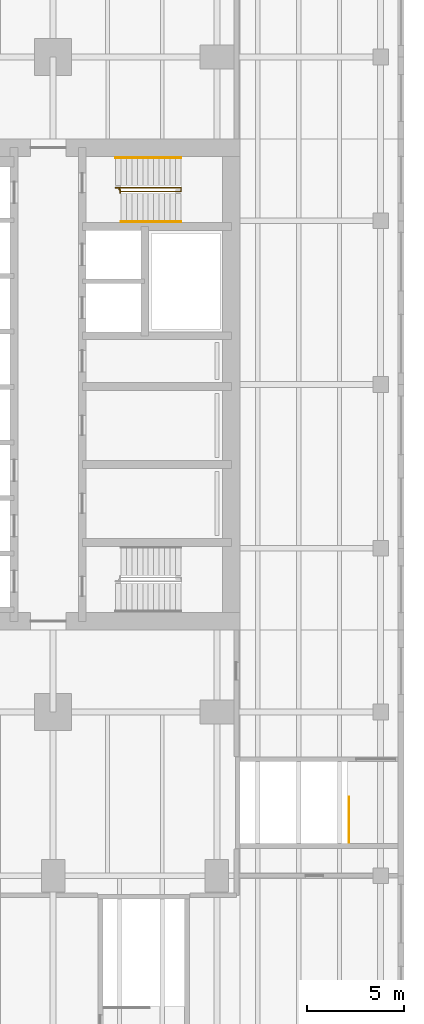
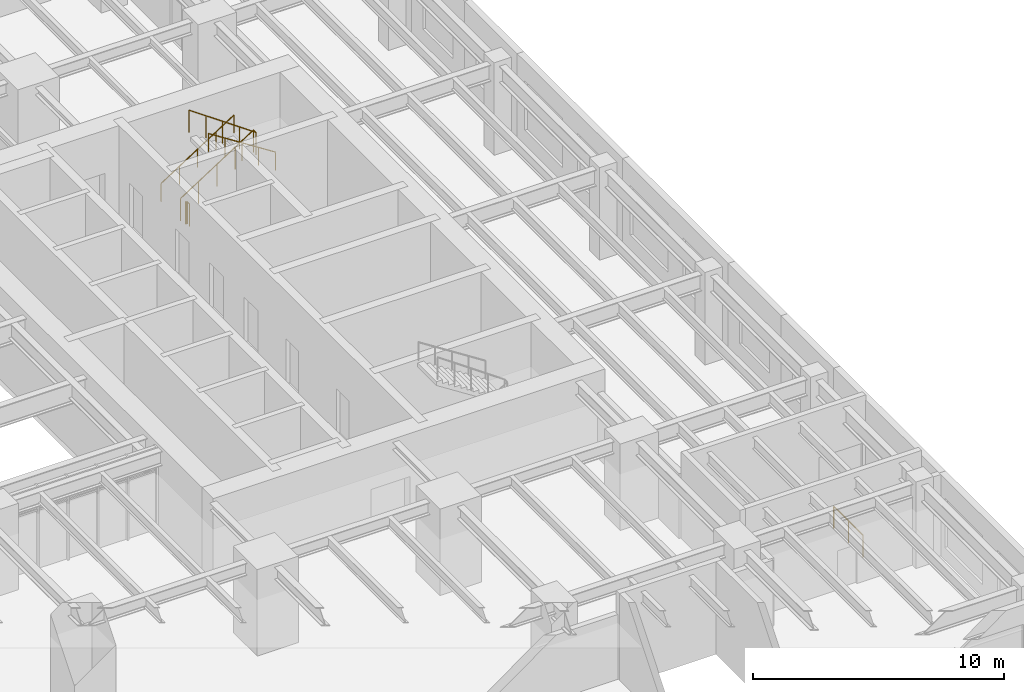
# One storey, part 21 of 22: 5 railings.
"""IFC4 building model written with IfcOpenShell, lengths in metres."""

from ifc_helpers import new_model, si_unit, direction, frame, origin, origin_2d, place, context, subcontext, project, spatial, circle, extrude, material, type_object, element, save


model = new_model("IFC4")

# Units and contexts
model_context = context("Model", 3, precision=1e-05, world=origin(), true_north=direction((0.0, 1.0)))
body_context = subcontext(model_context, "Body", "Model", "MODEL_VIEW")
ifc_project = project(units=[si_unit("LENGTHUNIT", "METRE"), si_unit("AREAUNIT", "SQUARE_METRE"), si_unit("VOLUMEUNIT", "CUBIC_METRE"), si_unit("PLANEANGLEUNIT", "RADIAN"), si_unit("MASSUNIT", "GRAM", prefix="KILO")], contexts=[model_context])

# Site, building, storey
site_placement = place(None, origin())
site = spatial("IfcSite", under=ifc_project, at=site_placement, CompositionType="ELEMENT")
building_placement = place(site_placement, origin())
building = spatial("IfcBuilding", under=site, at=building_placement, Name="Claustro Exchange Tower", CompositionType="ELEMENT")
storey_placement = place(building_placement, frame((0.0, 0.0, 14.39990234375)))
storey = spatial("IfcBuildingStorey", under=building, at=storey_placement, Name="L03", CompositionType="ELEMENT", Elevation=14.39990234375)

# Railings
ifc_material_1 = material(Name="Steel balustrade, painted", Category="steel")
railing_type_1 = type_object("IfcRailingType", Name="GR2 1100 steel stair guard", PredefinedType="GUARDRAIL", material=ifc_material_1)
railing_1_placement = place(storey_placement, frame((45.199951171875, 35.300048828125, 0.18017578125)))
element("IfcRailing", 1, at=railing_1_placement, inside=storey, type_object=railing_type_1, Name="Stair well guard GR2 stair STEB L03", PredefinedType="GUARDRAIL", context=body_context, shape_type="SweptSolid", body=[
    extrude(circle(Radius=0.02392578125, at=origin_2d()), frame((0.0, 0.0, 1.076171875), z_axis=(0.84119634759, 0.0, 0.540729789082), x_axis=(0.0, 1.0, 0.0)), (0.0, 0.0, 1.0), 3.994384765625),
    extrude(circle(Radius=0.02392578125, at=origin_2d()), frame((3.360107421875, 0.0, 3.23583984375), z_axis=(0.0, -1.0, 0.0), x_axis=(1.0, 0.0, 0.0)), (0.0, 0.0, 1.0), 0.199951171875),
    extrude(circle(Radius=0.02392578125, at=origin_2d()), frame((3.360107421875, -0.199951171875, 3.23583984375), z_axis=(-0.8187499073, 0.0, 0.574150319426), x_axis=(0.0, -1.0, 0.0)), (0.0, 0.0, 1.0), 3.761962890625),
    extrude(circle(Radius=0.02099609375, at=origin_2d()), origin(), (0.0, 0.0, 1.0), 1.052001953125),
    extrude(circle(Radius=0.02099609375, at=origin_2d()), frame((0.840087890625, 0.0, 0.5400390625)), (0.0, 0.0, 1.0), 1.052001953125),
    extrude(circle(Radius=0.02099609375, at=origin_2d()), frame((1.68017578125, 0.0, 1.080078125)), (0.0, 0.0, 1.0), 1.052001953125),
    extrude(circle(Radius=0.02099609375, at=origin_2d()), frame((2.52001953125, 0.0, 1.619873046875)), (0.0, 0.0, 1.0), 1.052001953125),
    extrude(circle(Radius=0.02099609375, at=origin_2d()), frame((3.360107421875, 0.0, 2.159912109375)), (0.0, 0.0, 1.0), 1.052001953125),
    extrude(circle(Radius=0.02099609375, at=origin_2d()), frame((3.360107421875, -0.199951171875, 2.159912109375)), (0.0, 0.0, 1.0), 1.052001953125),
    extrude(circle(Radius=0.02099609375, at=origin_2d()), frame((2.590087890625, -0.199951171875, 2.699951171875)), (0.0, 0.0, 1.0), 1.052001953125),
    extrude(circle(Radius=0.02099609375, at=origin_2d()), frame((1.820068359375, -0.199951171875, 3.23974609375)), (0.0, 0.0, 1.0), 1.052001953125),
    extrude(circle(Radius=0.02099609375, at=origin_2d()), frame((1.050048828125, -0.199951171875, 3.77978515625)), (0.0, 0.0, 1.0), 1.052001953125),
    extrude(circle(Radius=0.02099609375, at=origin_2d()), frame((0.280029296875, -0.199951171875, 4.31982421875)), (0.0, 0.0, 1.0), 1.052001953125),
])
railing_2_placement = place(storey_placement, frame((45.39990234375, 35.22998046875, 0.0)))
element("IfcRailing", 2, at=railing_2_placement, inside=storey, type_object=railing_type_1, Name="Stair guard GR2 STEB L03", PredefinedType="GUARDRAIL", context=body_context, shape_type="SweptSolid", body=[
    extrude(circle(Radius=0.02392578125, at=origin_2d()), frame((0.0, 0.0, 1.076171875), z_axis=(0.0, -1.0, 0.0), x_axis=(1.0, 0.0, 0.0)), (0.0, 0.0, 1.0), 0.030029296875),
    extrude(circle(Radius=0.02392578125, at=origin_2d()), frame((0.0, -0.030029296875, 1.076171875), z_axis=(1.0, 0.0, 0.0), x_axis=(0.0, 1.0, 0.0)), (0.0, 0.0, 1.0), 0.05517578125),
    extrude(circle(Radius=0.02392578125, at=origin_2d()), frame((0.05517578125, -0.030029296875, 1.076171875), z_axis=(0.0, -1.0, 0.0), x_axis=(1.0, 0.0, 0.0)), (0.0, 0.0, 1.0), 0.179931640625),
    extrude(circle(Radius=0.02099609375, at=origin_2d()), origin(), (0.0, 0.0, 1.0), 1.052001953125),
    extrude(circle(Radius=0.02099609375, at=origin_2d()), frame((0.0, -0.030029296875, 0.0)), (0.0, 0.0, 1.0), 1.052001953125),
    extrude(circle(Radius=0.02099609375, at=origin_2d()), frame((0.05517578125, -0.030029296875, 0.0)), (0.0, 0.0, 1.0), 1.052001953125),
    extrude(circle(Radius=0.02099609375, at=origin_2d()), frame((0.05517578125, -0.2099609375, 0.0)), (0.0, 0.0, 1.0), 1.052001953125),
])
railing_3_placement = place(storey_placement, frame((57.179931640625, 1.7099609375, 0.0)))
element("IfcRailing", 3, at=railing_3_placement, inside=storey, type_object=railing_type_1, Name="Stair guard GR2 STP6 L03", PredefinedType="GUARDRAIL", context=body_context, shape_type="SweptSolid", body=[
    extrude(circle(Radius=0.02392578125, at=origin_2d()), frame((0.0, 0.0, 1.076171875), z_axis=(0.0, 1.0, 0.0), x_axis=(-1.0, 0.0, 0.0)), (0.0, 0.0, 1.0), 2.320068359375),
    extrude(circle(Radius=0.02099609375, at=origin_2d()), origin(), (0.0, 0.0, 1.0), 1.052001953125),
    extrude(circle(Radius=0.02099609375, at=origin_2d()), frame((0.0, 1.16015625, 0.0)), (0.0, 0.0, 1.0), 1.052001953125),
    extrude(circle(Radius=0.02099609375, at=origin_2d()), frame((0.0, 2.320068359375, 0.0)), (0.0, 0.0, 1.0), 1.052001953125),
])
ifc_material_2 = material(Name="Stainless steel tube", Category="steel")
railing_type_2 = type_object("IfcRailingType", Name="HR1 900 stair handrail", PredefinedType="HANDRAIL", material=ifc_material_2)
railing_4_placement = place(storey_placement, frame((45.199951171875, 36.840087890625, 0.18017578125)))
element("IfcRailing", 4, at=railing_4_placement, inside=storey, type_object=railing_type_2, Name="Handrail HR1 stair STEB L03", PredefinedType="HANDRAIL", context=body_context, shape_type="SweptSolid", body=[
    extrude(circle(Radius=0.02392578125, at=origin_2d()), frame((0.0, 0.0, 0.8759765625), z_axis=(0.84119634759, 0.0, 0.540729789082), x_axis=(0.0, 1.0, 0.0)), (0.0, 0.0, 1.0), 3.994384765625),
    extrude(circle(Radius=0.02099609375, at=origin_2d()), origin(), (0.0, 0.0, 1.0), 0.851806640625),
    extrude(circle(Radius=0.02099609375, at=origin_2d()), frame((0.840087890625, 0.0, 0.5400390625)), (0.0, 0.0, 1.0), 0.851806640625),
    extrude(circle(Radius=0.02099609375, at=origin_2d()), frame((1.68017578125, 0.0, 1.080078125)), (0.0, 0.0, 1.0), 0.851806640625),
    extrude(circle(Radius=0.02099609375, at=origin_2d()), frame((2.52001953125, 0.0, 1.619873046875)), (0.0, 0.0, 1.0), 0.851806640625),
    extrude(circle(Radius=0.02099609375, at=origin_2d()), frame((3.360107421875, 0.0, 2.159912109375)), (0.0, 0.0, 1.0), 0.851806640625),
])
railing_5_placement = place(storey_placement, frame((48.56005859375, 33.56005859375, 2.52001953125)))
element("IfcRailing", 5, at=railing_5_placement, inside=storey, type_object=railing_type_2, Name="Handrail HR1 stair STEB L03", PredefinedType="HANDRAIL", context=body_context, shape_type="SweptSolid", body=[
    extrude(circle(Radius=0.02392578125, at=origin_2d()), frame((0.0, 0.0, 0.8759765625), z_axis=(-0.84118714077, 0.0, 0.540744111576), x_axis=(0.0, -1.0, 0.0)), (0.0, 0.0, 1.0), 3.66162109375),
    extrude(circle(Radius=0.02099609375, at=origin_2d()), origin(), (0.0, 0.0, 1.0), 0.851806640625),
    extrude(circle(Radius=0.02099609375, at=origin_2d()), frame((-0.77001953125, 0.0, 0.4951171875)), (0.0, 0.0, 1.0), 0.851806640625),
    extrude(circle(Radius=0.02099609375, at=origin_2d()), frame((-1.5400390625, 0.0, 0.989990234375)), (0.0, 0.0, 1.0), 0.851806640625),
    extrude(circle(Radius=0.02099609375, at=origin_2d()), frame((-2.31005859375, 0.0, 1.48486328125)), (0.0, 0.0, 1.0), 0.851806640625),
    extrude(circle(Radius=0.02099609375, at=origin_2d()), frame((-3.080078125, 0.0, 1.97998046875)), (0.0, 0.0, 1.0), 0.851806640625),
])

save(model, "model.ifc")
